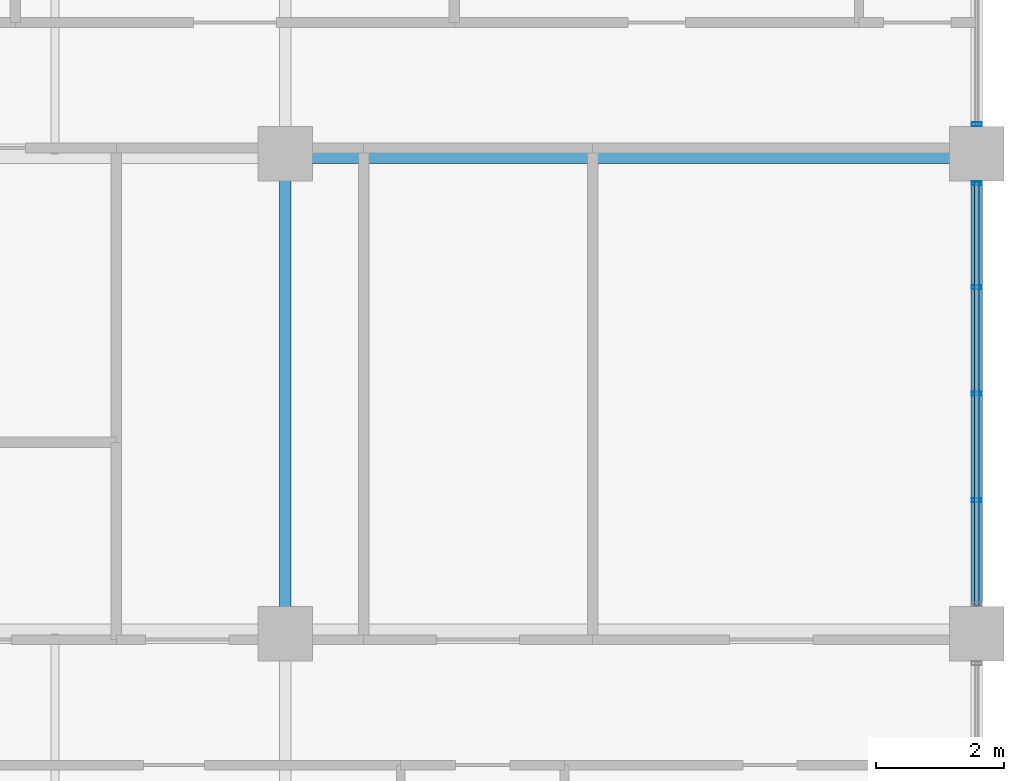
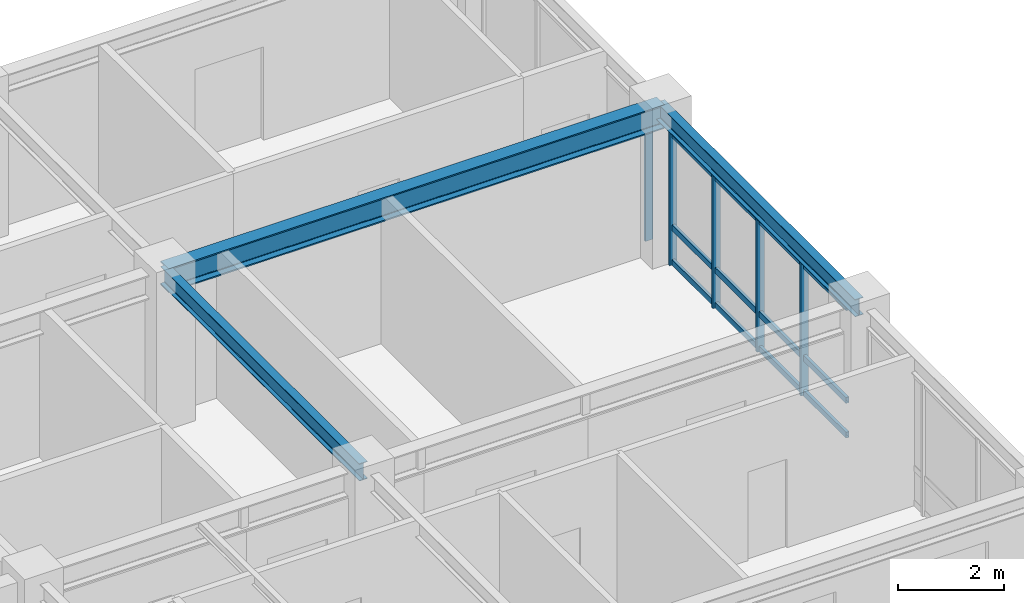
# One storey, part 3 of 10: 8 members, 3 beams, 2 elements without a shape of their own.
"""IFC4 building model written with IfcOpenShell, lengths in metres."""

from ifc_helpers import new_model, si_unit, direction, frame, origin, origin_2d, place, context, subcontext, project, spatial, hollow_rectangle, i_section, extrude, source, transform, mapped, material, layer, layer_set, material_profile, profile_set, type_object, element, aggregate, save


model = new_model("IFC4")

# Units and contexts
model_context = context("Model", 3, precision=1e-05, world=origin(), true_north=direction((0.0, 1.0)))
body_context = subcontext(model_context, "Body", "Model", "MODEL_VIEW")
ifc_project = project(units=[si_unit("LENGTHUNIT", "METRE"), si_unit("AREAUNIT", "SQUARE_METRE"), si_unit("VOLUMEUNIT", "CUBIC_METRE"), si_unit("PLANEANGLEUNIT", "RADIAN"), si_unit("MASSUNIT", "GRAM", prefix="KILO")], contexts=[model_context])

# Site, building, storey
site_placement = place(None, origin())
site = spatial("IfcSite", under=ifc_project, at=site_placement, CompositionType="ELEMENT")
building_placement = place(site_placement, origin())
building = spatial("IfcBuilding", under=site, at=building_placement, Name="Kaliganga Portal Commons", CompositionType="ELEMENT")
storey_placement = place(building_placement, frame((0.0, 0.0, 286.89990234375)))
storey = spatial("IfcBuildingStorey", under=building, at=storey_placement, Name="L74", CompositionType="ELEMENT", Elevation=286.89990234375)

# Beams
ifc_material_1 = material(Name="Structural steel S355J2", Category="steel")
ifc_material_profile_1 = material_profile(ifc_material_1, i_section(OverallWidth=0.300048828125, OverallDepth=0.550048828125, WebThickness=0.014892578125, FlangeThickness=0.029052734375, FilletRadius=0.027099609375, at=origin_2d()), Name="HE 550 B")
ifc_profile_set_1 = profile_set([ifc_material_profile_1], Name="Structural steel S355J2 wide-flange")
beam_type_1 = type_object("IfcBeamType", Name="BM-GIRD-550", PredefinedType="USERDEFINED", material=ifc_profile_set_1)
shared_shape_1 = source(origin(), body_context, "Body", "SweptSolid", [
    extrude(i_section(OverallWidth=0.300048828125, OverallDepth=0.550048828125, WebThickness=0.014892578125, FlangeThickness=0.029052734375, FilletRadius=0.027099609375, at=origin_2d()), origin(), (0.0, 0.0, 1.0), 10.800048828125),
])
beam_placement = place(storey_placement, frame((36.0, 36.14990234375, 3.2001953125), z_axis=(1.0, 0.0, 0.0), x_axis=(0.0, 1.0, 0.0)))
element("IfcBeam", 1, at=beam_placement, inside=storey, type_object=beam_type_1, Name="BM G L74 WAE_N 2", ObjectType="GIRDER", PredefinedType="USERDEFINED", context=body_context, shape_type="MappedRepresentation", body=[
    mapped(shared_shape_1, transform((0.0, 0.0, 0.0), x_axis=(1.0, 0.0, 0.0), y_axis=(0.0, 1.0, 0.0), z_axis=(0.0, 0.0, 1.0), scale=1.0)),
])
ifc_material_profile_2 = material_profile(ifc_material_1, i_section(OverallWidth=0.179931640625, OverallDepth=0.39990234375, WebThickness=0.008544921875, FlangeThickness=0.013427734375, FilletRadius=0.02099609375, at=origin_2d()), Name="IPE 400")
ifc_profile_set_2 = profile_set([ifc_material_profile_2], Name="Structural steel S355J2 wide-flange")
beam_type_2 = type_object("IfcBeamType", Name="BM-FLR-400", PredefinedType="BEAM", material=ifc_profile_set_2)
shared_shape_2 = source(origin(), body_context, "Body", "SweptSolid", [
    extrude(i_section(OverallWidth=0.179931640625, OverallDepth=0.39990234375, WebThickness=0.008544921875, FlangeThickness=0.013427734375, FilletRadius=0.02099609375, at=origin_2d()), origin(), (0.0, 0.0, 1.0), 7.5),
])
for number, where, z_axis, x_axis, name in (
    (2, (36.0, 28.64990234375, 3.275146484375), (0.0, 1.0, 0.0), (-1.0, 0.0, 0.0), "BM G L74 AM360"),
    (3, (46.800048828125, 28.64990234375, 3.275146484375), (0.0, 1.0, 0.0), (-1.0, 0.0, 0.0), "BM G L74 AM468"),
):
    element("IfcBeam", number, at=place(storey_placement, frame(where, z_axis=z_axis, x_axis=x_axis)), inside=storey, type_object=beam_type_2, Name=name, PredefinedType="BEAM", context=body_context, shape_type="MappedRepresentation", body=[
        mapped(shared_shape_2, transform((0.0, 0.0, 0.0), x_axis=(1.0, 0.0, 0.0), y_axis=(0.0, 1.0, 0.0), z_axis=(0.0, 0.0, 1.0), scale=1.0)),
    ])

# Curtain wall, members
ifc_material_2 = material(Name="Anodized Aluminium and Laminated Low-E Glass", Category="aluminium")
ifc_layer = layer(ifc_material_2, 0.18994140625)
ifc_layer_set = layer_set([ifc_layer], Name="Anodized Aluminium and Laminated Low-E Glass")
curtain_wall_type = type_object("IfcCurtainWallType", Name="CW-SYS-05", PredefinedType="NOTDEFINED", material=ifc_layer_set)
curtain_wall_1_placement = place(storey_placement, origin())
curtain_wall_1 = element("IfcCurtainWall", 4, at=curtain_wall_1_placement, inside=storey, type_object=curtain_wall_type, Name="CW 05 L74 P1E01S2", PredefinedType="NOTDEFINED")
ifc_material_3 = material(Name="Dark Bronze Anodized Aluminium", Category="aluminium")
ifc_material_profile_3 = material_profile(ifc_material_3, hollow_rectangle(XDim=0.06494140625, YDim=0.135009765625, WallThickness=0.00341796875, at=origin_2d()), Name="ALU TRAN 65x135x3.5")
ifc_profile_set_3 = profile_set([ifc_material_profile_3], Name="Dark Bronze Anodized Aluminium")
member_type_1 = type_object("IfcMemberType", Name="CW-TRN-135", PredefinedType="USERDEFINED", material=ifc_profile_set_3)
shared_shape_3 = source(origin(), body_context, "Body", "SweptSolid", [
    extrude(hollow_rectangle(XDim=0.06494140625, YDim=0.135009765625, WallThickness=0.00341796875, at=origin_2d()), origin(), (0.0, 0.0, 1.0), 6.608154296875),
])
member_1_placement = place(storey_placement, frame((46.800048828125, 29.095947265625, 0.06005859375), z_axis=(0.0, 1.0, 0.0), x_axis=(-1.0, 0.0, 0.0)))
member_1 = element("IfcMember", 5, at=member_1_placement, type_object=member_type_1, Name="CW:05:L74:P1E01S2 Transom 1", ObjectType="TRANSOM", PredefinedType="USERDEFINED", context=body_context, shape_type="MappedRepresentation", body=[
    mapped(shared_shape_3, transform((0.0, 0.0, 0.0), x_axis=(1.0, 0.0, 0.0), y_axis=(0.0, 1.0, 0.0), z_axis=(0.0, 0.0, 1.0), scale=1.0)),
])
member_2_placement = place(storey_placement, frame((46.800048828125, 29.095947265625, 0.861083984375), z_axis=(0.0, 1.0, 0.0), x_axis=(-1.0, 0.0, 0.0)))
member_2 = element("IfcMember", 6, at=member_2_placement, type_object=member_type_1, Name="CW:05:L74:P1E01S2 Transom 2", ObjectType="TRANSOM", PredefinedType="USERDEFINED", context=body_context, shape_type="MappedRepresentation", body=[
    mapped(shared_shape_3, transform((0.0, 0.0, 0.0), x_axis=(1.0, 0.0, 0.0), y_axis=(0.0, 1.0, 0.0), z_axis=(0.0, 0.0, 1.0), scale=1.0)),
])
member_3_placement = place(storey_placement, frame((46.800048828125, 29.095947265625, 2.9951171875), z_axis=(0.0, 1.0, 0.0), x_axis=(-1.0, 0.0, 0.0)))
member_3 = element("IfcMember", 7, at=member_3_placement, type_object=member_type_1, Name="CW:05:L74:P1E01S2 Transom 3", ObjectType="TRANSOM", PredefinedType="USERDEFINED", context=body_context, shape_type="MappedRepresentation", body=[
    mapped(shared_shape_3, transform((0.0, 0.0, 0.0), x_axis=(1.0, 0.0, 0.0), y_axis=(0.0, 1.0, 0.0), z_axis=(0.0, 0.0, 1.0), scale=1.0)),
])
ifc_material_profile_4 = material_profile(ifc_material_3, hollow_rectangle(XDim=0.06005859375, YDim=0.159912109375, WallThickness=0.00341796875, at=origin_2d()), Name="ALU MULL 60x160x3.5")
ifc_profile_set_4 = profile_set([ifc_material_profile_4], Name="Dark Bronze Anodized Aluminium")
member_type_2 = type_object("IfcMemberType", Name="CW-MUL-160", PredefinedType="MULLION", material=ifc_profile_set_4)
shared_shape_4 = source(origin(), body_context, "Body", "SweptSolid", [
    extrude(hollow_rectangle(XDim=0.06005859375, YDim=0.159912109375, WallThickness=0.00341796875, at=origin_2d()), origin(), (0.0, 0.0, 1.0), 3.0751953125),
])
member_4_placement = place(storey_placement, frame((46.800048828125, 30.738037109375, 0.0), z_axis=(0.0, 0.0, 1.0), x_axis=(0.0, 1.0, 0.0)))
member_4 = element("IfcMember", 8, at=member_4_placement, type_object=member_type_2, Name="CW:05:L74:P1E01S2 Mullion 01", PredefinedType="MULLION", context=body_context, shape_type="MappedRepresentation", body=[
    mapped(shared_shape_4, transform((0.0, 0.0, 0.0), x_axis=(1.0, 0.0, 0.0), y_axis=(0.0, 1.0, 0.0), z_axis=(0.0, 0.0, 1.0), scale=1.0)),
])
member_5_placement = place(storey_placement, frame((46.800048828125, 32.39990234375, 0.0), z_axis=(0.0, 0.0, 1.0), x_axis=(0.0, 1.0, 0.0)))
member_5 = element("IfcMember", 9, at=member_5_placement, type_object=member_type_2, Name="CW:05:L74:P1E01S2 Mullion 02", PredefinedType="MULLION", context=body_context, shape_type="MappedRepresentation", body=[
    mapped(shared_shape_4, transform((0.0, 0.0, 0.0), x_axis=(1.0, 0.0, 0.0), y_axis=(0.0, 1.0, 0.0), z_axis=(0.0, 0.0, 1.0), scale=1.0)),
])
member_6_placement = place(storey_placement, frame((46.800048828125, 34.06201171875, 0.0), z_axis=(0.0, 0.0, 1.0), x_axis=(0.0, 1.0, 0.0)))
member_6 = element("IfcMember", 10, at=member_6_placement, type_object=member_type_2, Name="CW:05:L74:P1E01S2 Mullion 03", PredefinedType="MULLION", context=body_context, shape_type="MappedRepresentation", body=[
    mapped(shared_shape_4, transform((0.0, 0.0, 0.0), x_axis=(1.0, 0.0, 0.0), y_axis=(0.0, 1.0, 0.0), z_axis=(0.0, 0.0, 1.0), scale=1.0)),
])
member_7_placement = place(storey_placement, frame((46.800048828125, 35.68896484375, 0.0), z_axis=(0.0, 0.0, 1.0), x_axis=(0.0, 1.0, 0.0)))
member_7 = element("IfcMember", 11, at=member_7_placement, type_object=member_type_2, Name="CW:05:L74:P1E01S2 Mullion 04", PredefinedType="MULLION", context=body_context, shape_type="MappedRepresentation", body=[
    mapped(shared_shape_4, transform((0.0, 0.0, 0.0), x_axis=(1.0, 0.0, 0.0), y_axis=(0.0, 1.0, 0.0), z_axis=(0.0, 0.0, 1.0), scale=1.0)),
])
aggregate(curtain_wall_1, [member_4, member_5, member_6, member_7, member_1, member_2, member_3])

# Curtain wall, member
curtain_wall_2_placement = place(storey_placement, origin())
curtain_wall_2 = element("IfcCurtainWall", 12, at=curtain_wall_2_placement, inside=storey, type_object=curtain_wall_type, Name="CW 05 L74 P1E01S3", PredefinedType="NOTDEFINED")
member_8_placement = place(storey_placement, frame((46.800048828125, 36.611083984375, 0.0), z_axis=(0.0, 0.0, 1.0), x_axis=(0.0, 1.0, 0.0)))
member_8 = element("IfcMember", 13, at=member_8_placement, type_object=member_type_2, Name="CW:05:L74:P1E01S3 Mullion 00", PredefinedType="MULLION", context=body_context, shape_type="MappedRepresentation", body=[
    mapped(shared_shape_4, transform((0.0, 0.0, 0.0), x_axis=(1.0, 0.0, 0.0), y_axis=(0.0, 1.0, 0.0), z_axis=(0.0, 0.0, 1.0), scale=1.0)),
])
aggregate(curtain_wall_2, [member_8])

save(model, "model.ifc")
